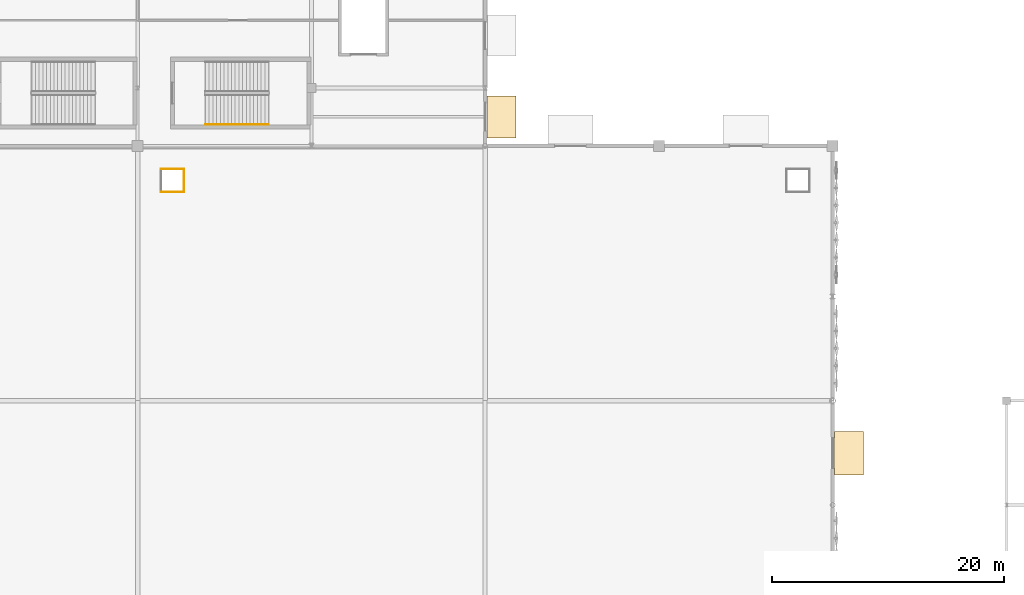
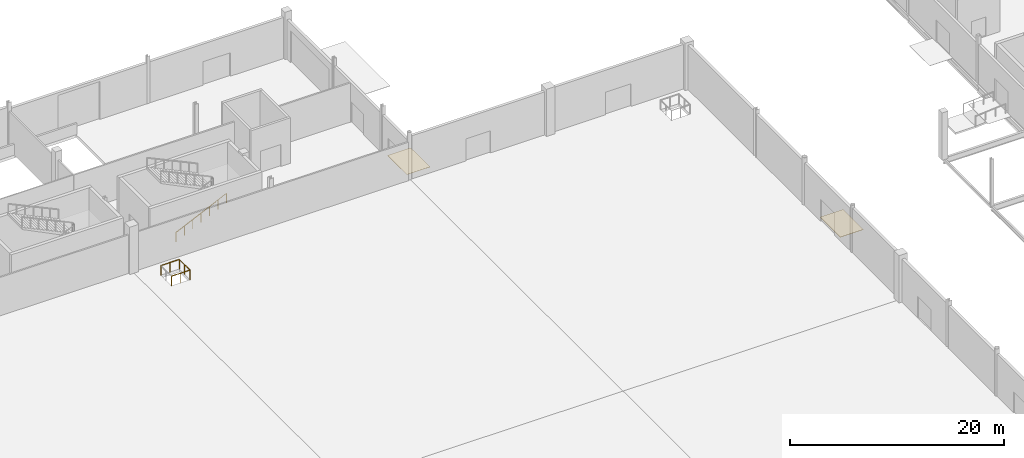
# One storey, part 80 of 94: 4 railings, 2 coverings.
"""IFC4 building model written with IfcOpenShell, lengths in metres."""

from ifc_helpers import new_model, si_unit, direction, frame, origin, origin_2d, place, context, subcontext, project, spatial, rectangle, circle, extrude, material, layer, layer_set, type_object, element, save


model = new_model("IFC4")

# Units and contexts
model_context = context("Model", 3, precision=1e-05, world=origin(), true_north=direction((0.0, 1.0)))
body_context = subcontext(model_context, "Body", "Model", "MODEL_VIEW")
ifc_project = project(units=[si_unit("LENGTHUNIT", "METRE"), si_unit("AREAUNIT", "SQUARE_METRE"), si_unit("VOLUMEUNIT", "CUBIC_METRE"), si_unit("PLANEANGLEUNIT", "RADIAN"), si_unit("MASSUNIT", "GRAM", prefix="KILO")], contexts=[model_context])

# Site, building, storey
site_placement = place(None, origin())
site = spatial("IfcSite", under=ifc_project, at=site_placement, CompositionType="ELEMENT")
building_placement = place(site_placement, origin())
building = spatial("IfcBuilding", under=site, at=building_placement, Name="Qamarlyn Nura Convention Centre", CompositionType="ELEMENT")
storey_placement = place(building_placement, origin())
storey = spatial("IfcBuildingStorey", under=building, at=storey_placement, Name="L00", CompositionType="ELEMENT", Elevation=0.0)

# Coverings
ifc_material_1 = material(Name="Polished coastal aggregate terrazzo")
ifc_layer = layer(ifc_material_1, 0.030029296875, Name="COV-FLOOR-TERR")
ifc_layer_set = layer_set([ifc_layer], Name="Polished coastal aggregate terrazzo")
covering_type = type_object("IfcCoveringType", Name="COV-FLOOR-TERR", PredefinedType="FLOORING", material=ifc_layer_set)
covering_1_placement = place(storey_placement, frame((121.39990234375, 76.474609375, -0.02978515625), z_axis=(0.0, 0.0, 1.0), x_axis=(0.0, -1.0, 0.0)))
element("IfcCovering", 1, at=covering_1_placement, inside=storey, type_object=covering_type, Name="Exterior exit threshold apron E-28", PredefinedType="FLOORING", context=body_context, shape_type="SweptSolid", body=[
    extrude(rectangle(XDim=3.780029296875, YDim=2.5, at=origin_2d()), origin(), (0.0, 0.0, 1.0), 0.030029296875),
])
covering_2_placement = place(storey_placement, frame((91.389892578125, 105.508544921875, -0.02978515625), z_axis=(0.0, 0.0, 1.0), x_axis=(0.0, -1.0, 0.0)))
element("IfcCovering", 2, at=covering_2_placement, inside=storey, type_object=covering_type, Name="Exterior exit threshold apron E-34", PredefinedType="FLOORING", context=body_context, shape_type="SweptSolid", body=[
    extrude(rectangle(XDim=3.6201171875, YDim=2.5, at=origin_2d()), origin(), (0.0, 0.0, 1.0), 0.030029296875),
])

# Railings
ifc_material_2 = material(Name="Marine Grade 316 stainless steel", Category="steel")
railing_type_1 = type_object("IfcRailingType", Name="GRD-VOID-112", PredefinedType="BALUSTRADE", material=ifc_material_2)
railing_1_placement = place(storey_placement, frame((62.0, 99.0, 0.0)))
element("IfcRailing", 3, at=railing_1_placement, inside=storey, type_object=railing_type_1, Name="L00 slab edge balustrade guard 022", PredefinedType="BALUSTRADE", context=body_context, shape_type="SweptSolid", body=[
    extrude(circle(Radius=0.02392578125, at=origin_2d()), frame((0.0, 0.0, 1.09619140625), z_axis=(1.0, 0.0, 0.0), x_axis=(0.0, 1.0, 0.0)), (0.0, 0.0, 1.0), 2.0),
    extrude(circle(Radius=0.02099609375, at=origin_2d()), origin(), (0.0, 0.0, 1.0), 1.070068359375),
    extrude(circle(Radius=0.02099609375, at=origin_2d()), frame((1.0, 0.0, 0.0)), (0.0, 0.0, 1.0), 1.070068359375),
    extrude(circle(Radius=0.02099609375, at=origin_2d()), frame((2.0, 0.0, 0.0)), (0.0, 0.0, 1.0), 1.070068359375),
])
railing_2_placement = place(storey_placement, frame((64.0, 99.0, 0.0)))
element("IfcRailing", 4, at=railing_2_placement, inside=storey, type_object=railing_type_1, Name="L00 slab edge balustrade guard 023", PredefinedType="BALUSTRADE", context=body_context, shape_type="SweptSolid", body=[
    extrude(circle(Radius=0.02392578125, at=origin_2d()), frame((0.0, 0.0, 1.09619140625), z_axis=(0.0, 1.0, 0.0), x_axis=(-1.0, 0.0, 0.0)), (0.0, 0.0, 1.0), 2.0),
    extrude(circle(Radius=0.02099609375, at=origin_2d()), origin(), (0.0, 0.0, 1.0), 1.070068359375),
    extrude(circle(Radius=0.02099609375, at=origin_2d()), frame((0.0, 1.0, 0.0)), (0.0, 0.0, 1.0), 1.070068359375),
    extrude(circle(Radius=0.02099609375, at=origin_2d()), frame((0.0, 2.0, 0.0)), (0.0, 0.0, 1.0), 1.070068359375),
])
railing_3_placement = place(storey_placement, frame((64.0, 101.0, 0.0)))
element("IfcRailing", 5, at=railing_3_placement, inside=storey, type_object=railing_type_1, Name="L00 slab edge balustrade guard 024", PredefinedType="BALUSTRADE", context=body_context, shape_type="SweptSolid", body=[
    extrude(circle(Radius=0.02392578125, at=origin_2d()), frame((0.0, 0.0, 1.09619140625), z_axis=(-1.0, 0.0, 0.0), x_axis=(0.0, -1.0, 0.0)), (0.0, 0.0, 1.0), 2.0),
    extrude(circle(Radius=0.02099609375, at=origin_2d()), origin(), (0.0, 0.0, 1.0), 1.070068359375),
    extrude(circle(Radius=0.02099609375, at=origin_2d()), frame((-1.0, 0.0, 0.0)), (0.0, 0.0, 1.0), 1.070068359375),
    extrude(circle(Radius=0.02099609375, at=origin_2d()), frame((-2.0, 0.0, 0.0)), (0.0, 0.0, 1.0), 1.070068359375),
])
railing_type_2 = type_object("IfcRailingType", Name="HRL-STAIR-090", PredefinedType="HANDRAIL", material=ifc_material_2)
railing_4_placement = place(storey_placement, frame((65.860107421875, 104.85009765625, 0.30224609375)))
element("IfcRailing", 6, at=railing_4_placement, inside=storey, type_object=railing_type_2, Name="L00 ST-04 stair handrail 1", PredefinedType="HANDRAIL", context=body_context, shape_type="SweptSolid", body=[
    extrude(circle(Radius=0.02392578125, at=origin_2d()), frame((0.0, 0.0, 0.88818359375), z_axis=(0.90545405566, 0.0, 0.424444287379), x_axis=(0.0, 1.0, 0.0)), (0.0, 0.0, 1.0), 6.008056640625),
    extrude(circle(Radius=0.02099609375, at=origin_2d()), frame((0.0, 0.0, -0.155029296875)), (0.0, 0.0, 1.0), 1.01708984375),
    extrude(circle(Radius=0.02099609375, at=origin_2d()), frame((0.90673828125, 0.0, 0.27001953125)), (0.0, 0.0, 1.0), 1.01708984375),
    extrude(circle(Radius=0.02099609375, at=origin_2d()), frame((1.813232421875, 0.0, 0.695068359375)), (0.0, 0.0, 1.0), 1.01708984375),
    extrude(circle(Radius=0.02099609375, at=origin_2d()), frame((2.719970703125, 0.0, 1.1201171875)), (0.0, 0.0, 1.0), 1.01708984375),
    extrude(circle(Radius=0.02099609375, at=origin_2d()), frame((3.626708984375, 0.0, 1.544921875)), (0.0, 0.0, 1.0), 1.01708984375),
    extrude(circle(Radius=0.02099609375, at=origin_2d()), frame((4.533203125, 0.0, 1.969970703125)), (0.0, 0.0, 1.0), 1.01708984375),
    extrude(circle(Radius=0.02099609375, at=origin_2d()), frame((5.43994140625, 0.0, 2.39501953125)), (0.0, 0.0, 1.0), 1.01708984375),
])

save(model, "model.ifc")
